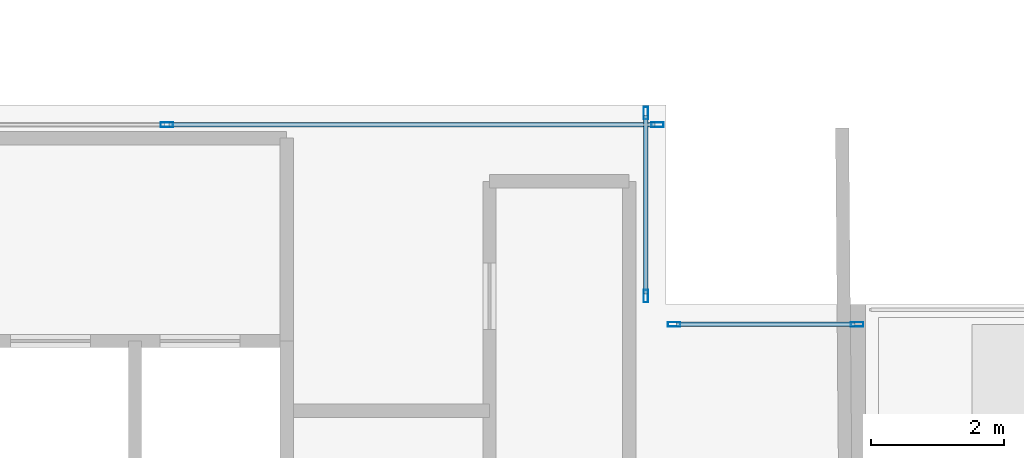
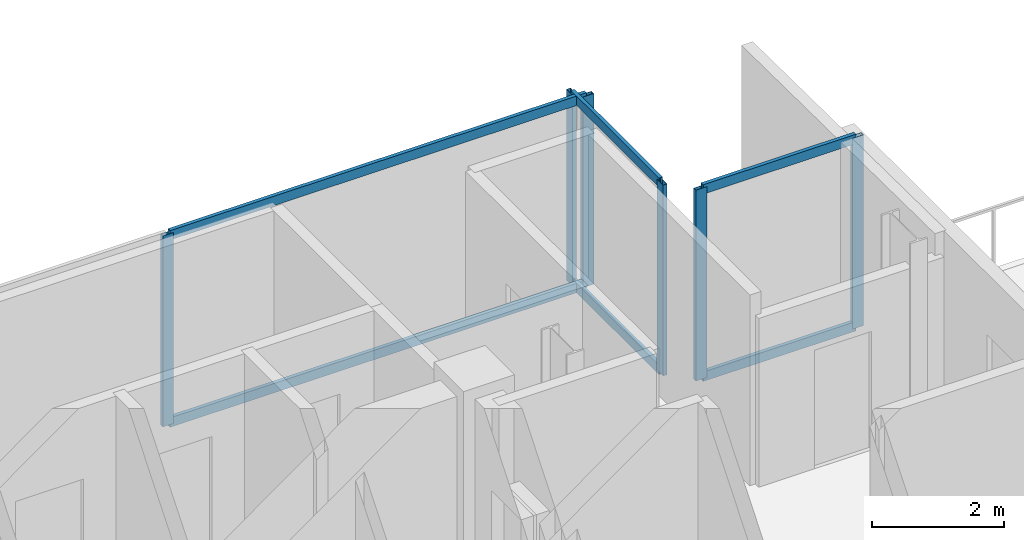
# One storey, part 13 of 28: 12 members, 3 elements without a shape of their own.
"""IFC4 building model written with IfcOpenShell, lengths in metres."""

from ifc_helpers import new_model, si_unit, direction, frame, origin, origin_2d, place, context, subcontext, project, spatial, hollow_rectangle, extrude, material, layer, layer_set, material_profile, profile_set, type_object, element, aggregate, save


model = new_model("IFC4")

# Units and contexts
model_context = context("Model", 3, precision=1e-05, world=origin(), true_north=direction((0.0, 1.0)))
body_context = subcontext(model_context, "Body", "Model", "MODEL_VIEW")
ifc_project = project(units=[si_unit("LENGTHUNIT", "METRE"), si_unit("AREAUNIT", "SQUARE_METRE"), si_unit("VOLUMEUNIT", "CUBIC_METRE"), si_unit("PLANEANGLEUNIT", "RADIAN"), si_unit("MASSUNIT", "GRAM", prefix="KILO"), si_unit("THERMODYNAMICTEMPERATUREUNIT", "KELVIN"), si_unit("POWERUNIT", "WATT")], contexts=[model_context])

# Site, building, storey
site_placement = place(None, origin())
site = spatial("IfcSite", under=ifc_project, at=site_placement, CompositionType="ELEMENT")
building_placement = place(site_placement, origin())
building = spatial("IfcBuilding", under=site, at=building_placement, Name="Svarakhadi Broadcast Tower", CompositionType="ELEMENT")
storey_placement = place(building_placement, frame((0.0, 0.0, 169.199951171875)))
storey = spatial("IfcBuildingStorey", under=building, at=storey_placement, Name="L41", CompositionType="ELEMENT", Elevation=169.199951171875)

# Curtain wall, members
ifc_material = material(Name="Anodised Bronze Aluminium AA 6063-T6", Category="aluminium")
ifc_layer = layer(ifc_material, 0.18994140625)
ifc_layer_set = layer_set([ifc_layer], Name="Anodised Bronze Aluminium AA 6063-T6")
curtain_wall_type = type_object("IfcCurtainWallType", Name="CW_Sys_04", PredefinedType="NOTDEFINED", material=ifc_layer_set)
curtain_wall_1_placement = place(storey_placement, origin())
curtain_wall_1 = element("IfcCurtainWall", 1, at=curtain_wall_1_placement, inside=storey, type_object=curtain_wall_type, Name="L41 Unitised Facade Curtain Wall 09", PredefinedType="NOTDEFINED")
ifc_material_profile_1 = material_profile(ifc_material, hollow_rectangle(XDim=0.070068359375, YDim=0.18994140625, WallThickness=0.005615234375, at=origin_2d()), Name="ALU MULLION 190x70x6")
ifc_profile_set_1 = profile_set([ifc_material_profile_1], Name="Anodised Bronze Aluminium AA 6063-T6")
member_type_1 = type_object("IfcMemberType", Name="CW_Sys_04_Mul", PredefinedType="MULLION", material=ifc_profile_set_1)
member_1_placement = place(storey_placement, frame((31.5, 23.699951171875, 0.0), z_axis=(0.0, 0.0, 1.0), x_axis=(0.0, 1.0, 0.0)))
member_1 = element("IfcMember", 2, at=member_1_placement, type_object=member_type_1, Name="CW-04 mullion 2", PredefinedType="MULLION", context=body_context, shape_type="SweptSolid", body=[
    extrude(hollow_rectangle(XDim=0.070068359375, YDim=0.18994140625, WallThickness=0.005615234375, at=origin_2d()), origin(), (0.0, 0.0, 1.0), 3.5400390625),
])
member_2_placement = place(storey_placement, frame((38.875, 23.699951171875, 0.0), z_axis=(0.0, 0.0, 1.0), x_axis=(0.0, 1.0, 0.0)))
member_2 = element("IfcMember", 3, at=member_2_placement, type_object=member_type_1, Name="CW-04 mullion 3", PredefinedType="MULLION", context=body_context, shape_type="SweptSolid", body=[
    extrude(hollow_rectangle(XDim=0.070068359375, YDim=0.18994140625, WallThickness=0.005615234375, at=origin_2d()), origin(), (0.0, 0.0, 1.0), 3.5400390625),
])

curtain_wall_2_placement = place(storey_placement, origin())
curtain_wall_2 = element("IfcCurtainWall", 4, at=curtain_wall_2_placement, inside=storey, type_object=curtain_wall_type, Name="L41 Unitised Facade Curtain Wall 10", PredefinedType="NOTDEFINED")
member_3_placement = place(storey_placement, frame((38.699951171875, 23.875, 0.0), z_axis=(0.0, 0.0, 1.0), x_axis=(1.0, 0.0, 0.0)))
member_3 = element("IfcMember", 5, at=member_3_placement, type_object=member_type_1, Name="CW-04 mullion 1", PredefinedType="MULLION", context=body_context, shape_type="SweptSolid", body=[
    extrude(hollow_rectangle(XDim=0.070068359375, YDim=0.18994140625, WallThickness=0.005615234375, at=origin_2d()), origin(), (0.0, 0.0, 1.0), 3.5400390625),
])
member_4_placement = place(storey_placement, frame((38.699951171875, 21.125, 0.0), z_axis=(0.0, 0.0, 1.0), x_axis=(1.0, 0.0, 0.0)))
member_4 = element("IfcMember", 6, at=member_4_placement, type_object=member_type_1, Name="CW-04 mullion 2", PredefinedType="MULLION", context=body_context, shape_type="SweptSolid", body=[
    extrude(hollow_rectangle(XDim=0.070068359375, YDim=0.18994140625, WallThickness=0.005615234375, at=origin_2d()), origin(), (0.0, 0.0, 1.0), 3.5400390625),
])

curtain_wall_3_placement = place(storey_placement, origin())
curtain_wall_3 = element("IfcCurtainWall", 7, at=curtain_wall_3_placement, inside=storey, type_object=curtain_wall_type, Name="L41 Unitised Facade Curtain Wall 11", PredefinedType="NOTDEFINED")
member_5_placement = place(storey_placement, frame((39.125, 20.699951171875, 0.0), z_axis=(0.0, 0.0, 1.0), x_axis=(0.0, 1.0, 0.0)))
member_5 = element("IfcMember", 8, at=member_5_placement, type_object=member_type_1, Name="CW-04 mullion 1", PredefinedType="MULLION", context=body_context, shape_type="SweptSolid", body=[
    extrude(hollow_rectangle(XDim=0.070068359375, YDim=0.18994140625, WallThickness=0.005615234375, at=origin_2d()), origin(), (0.0, 0.0, 1.0), 3.5400390625),
])
member_6_placement = place(storey_placement, frame((41.875, 20.699951171875, 0.0), z_axis=(0.0, 0.0, 1.0), x_axis=(0.0, 1.0, 0.0)))
member_6 = element("IfcMember", 9, at=member_6_placement, type_object=member_type_1, Name="CW-04 mullion 2", PredefinedType="MULLION", context=body_context, shape_type="SweptSolid", body=[
    extrude(hollow_rectangle(XDim=0.070068359375, YDim=0.18994140625, WallThickness=0.005615234375, at=origin_2d()), origin(), (0.0, 0.0, 1.0), 3.5400390625),
])

# Member
ifc_material_profile_2 = material_profile(ifc_material, hollow_rectangle(XDim=0.06494140625, YDim=0.175048828125, WallThickness=0.0048828125, at=origin_2d()), Name="ALU TRANSOM 175x65x5")
ifc_profile_set_2 = profile_set([ifc_material_profile_2], Name="Anodised Bronze Aluminium AA 6063-T6")
member_type_2 = type_object("IfcMemberType", Name="CW_Sys_04_Trn", PredefinedType="USERDEFINED", material=ifc_profile_set_2)
member_7_placement = place(storey_placement, frame((31.534912109375, 23.699951171875, 0.032470703125), z_axis=(1.0, 0.0, 0.0), x_axis=(0.0, 1.0, 0.0)))
member_7 = element("IfcMember", 10, at=member_7_placement, type_object=member_type_2, Name="CW-04 transom 2.1", ObjectType="TRANSOM", PredefinedType="USERDEFINED", context=body_context, shape_type="SweptSolid", body=[
    extrude(hollow_rectangle(XDim=0.06494140625, YDim=0.175048828125, WallThickness=0.0048828125, at=origin_2d()), origin(), (0.0, 0.0, 1.0), 7.30517578125),
])

member_8_placement = place(storey_placement, frame((31.534912109375, 23.699951171875, 3.507568359375), z_axis=(1.0, 0.0, 0.0), x_axis=(0.0, 1.0, 0.0)))
member_8 = element("IfcMember", 11, at=member_8_placement, type_object=member_type_2, Name="CW-04 transom 2.2", ObjectType="TRANSOM", PredefinedType="USERDEFINED", context=body_context, shape_type="SweptSolid", body=[
    extrude(hollow_rectangle(XDim=0.06494140625, YDim=0.175048828125, WallThickness=0.0048828125, at=origin_2d()), origin(), (0.0, 0.0, 1.0), 7.30517578125),
])

aggregate(curtain_wall_1, [member_1, member_2, member_7, member_8])

member_9_placement = place(storey_placement, frame((38.699951171875, 23.840087890625, 0.032470703125), z_axis=(0.0, -1.0, 0.0), x_axis=(1.0, 0.0, 0.0)))
member_9 = element("IfcMember", 12, at=member_9_placement, type_object=member_type_2, Name="CW-04 transom 1.1", ObjectType="TRANSOM", PredefinedType="USERDEFINED", context=body_context, shape_type="SweptSolid", body=[
    extrude(hollow_rectangle(XDim=0.06494140625, YDim=0.175048828125, WallThickness=0.0048828125, at=origin_2d()), origin(), (0.0, 0.0, 1.0), 2.68017578125),
])

member_10_placement = place(storey_placement, frame((38.699951171875, 23.840087890625, 3.507568359375), z_axis=(0.0, -1.0, 0.0), x_axis=(1.0, 0.0, 0.0)))
member_10 = element("IfcMember", 13, at=member_10_placement, type_object=member_type_2, Name="CW-04 transom 1.2", ObjectType="TRANSOM", PredefinedType="USERDEFINED", context=body_context, shape_type="SweptSolid", body=[
    extrude(hollow_rectangle(XDim=0.06494140625, YDim=0.175048828125, WallThickness=0.0048828125, at=origin_2d()), origin(), (0.0, 0.0, 1.0), 2.68017578125),
])

aggregate(curtain_wall_2, [member_3, member_4, member_9, member_10])

member_11_placement = place(storey_placement, frame((39.159912109375, 20.699951171875, 0.032470703125), z_axis=(1.0, 0.0, 0.0), x_axis=(0.0, 1.0, 0.0)))
member_11 = element("IfcMember", 14, at=member_11_placement, type_object=member_type_2, Name="CW-04 transom 1.1", ObjectType="TRANSOM", PredefinedType="USERDEFINED", context=body_context, shape_type="SweptSolid", body=[
    extrude(hollow_rectangle(XDim=0.06494140625, YDim=0.175048828125, WallThickness=0.0048828125, at=origin_2d()), origin(), (0.0, 0.0, 1.0), 2.68017578125),
])

member_12_placement = place(storey_placement, frame((39.159912109375, 20.699951171875, 3.507568359375), z_axis=(1.0, 0.0, 0.0), x_axis=(0.0, 1.0, 0.0)))
member_12 = element("IfcMember", 15, at=member_12_placement, type_object=member_type_2, Name="CW-04 transom 1.2", ObjectType="TRANSOM", PredefinedType="USERDEFINED", context=body_context, shape_type="SweptSolid", body=[
    extrude(hollow_rectangle(XDim=0.06494140625, YDim=0.175048828125, WallThickness=0.0048828125, at=origin_2d()), origin(), (0.0, 0.0, 1.0), 2.68017578125),
])

aggregate(curtain_wall_3, [member_5, member_6, member_11, member_12])

save(model, "model.ifc")
